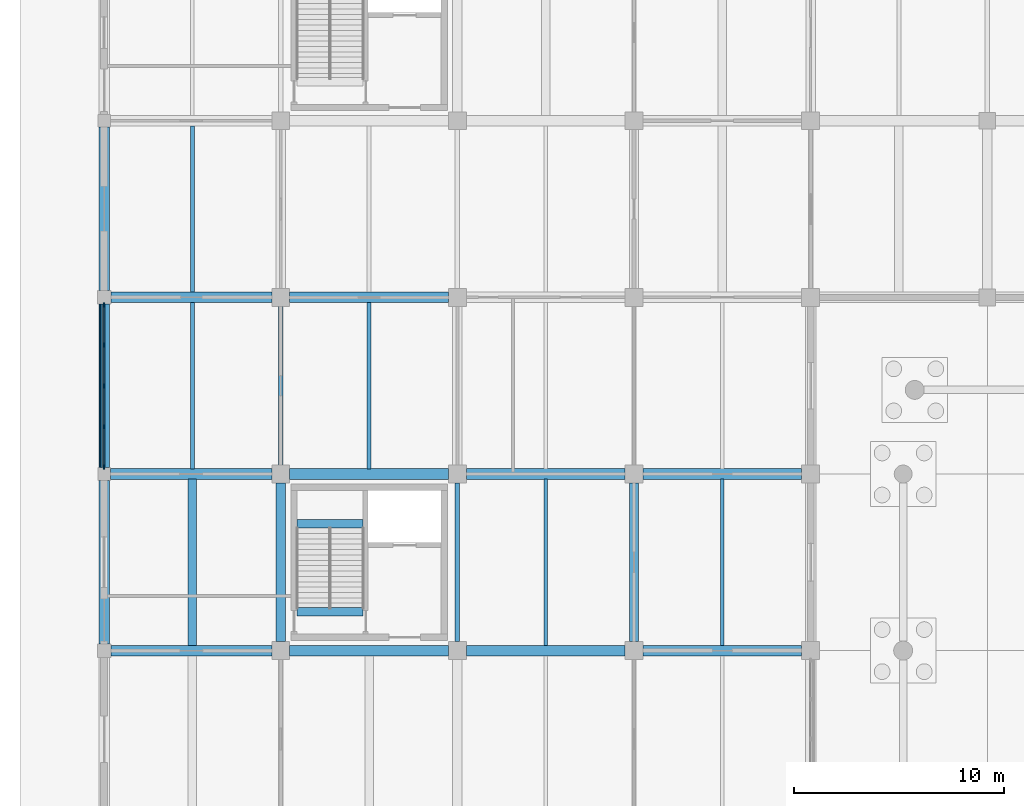
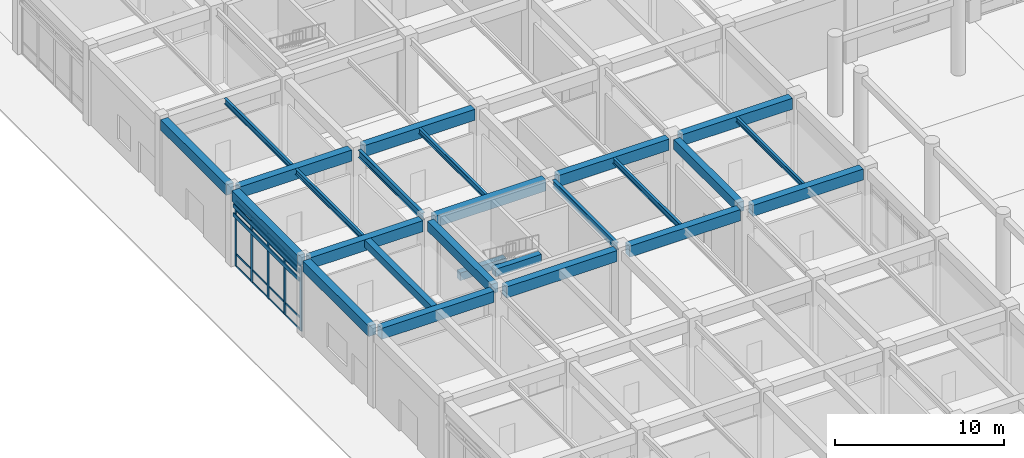
# One storey, part 7 of 91: 25 beams, 23 members, 1 element without a shape of its own.
"""IFC4 building model written with IfcOpenShell, lengths in metres."""

from ifc_helpers import new_model, si_unit, direction, frame, origin, origin_2d, place, context, subcontext, project, spatial, rectangle, i_section, extrude, material, layer, layer_set, material_profile, profile_set, type_object, element, aggregate, save


model = new_model("IFC4")

# Units and contexts
model_context = context("Model", 3, precision=1e-05, world=origin(), true_north=direction((0.0, 1.0)))
body_context = subcontext(model_context, "Body", "Model", "MODEL_VIEW")
ifc_project = project(units=[si_unit("LENGTHUNIT", "METRE"), si_unit("AREAUNIT", "SQUARE_METRE"), si_unit("VOLUMEUNIT", "CUBIC_METRE"), si_unit("PLANEANGLEUNIT", "RADIAN"), si_unit("MASSUNIT", "GRAM", prefix="KILO")], contexts=[model_context])

# Site, building, storey
site_placement = place(None, origin())
site = spatial("IfcSite", under=ifc_project, at=site_placement, CompositionType="ELEMENT")
building_placement = place(site_placement, origin())
building = spatial("IfcBuilding", under=site, at=building_placement, Name="Porcellanite Civic Hall", CompositionType="ELEMENT")
storey_placement = place(building_placement, origin())
storey = spatial("IfcBuildingStorey", under=building, at=storey_placement, Name="L00", CompositionType="ELEMENT", Elevation=0.0)

# Beams
ifc_material_1 = material(Name="Concrete N50 (50 MPa)", Category="concrete")
ifc_material_profile_1 = material_profile(ifc_material_1, rectangle(XDim=0.39990234375, YDim=0.550048828125, at=origin_2d()), Name="RC-400x550")
ifc_profile_set_1 = profile_set([ifc_material_profile_1], Name="Concrete N50 (50 MPa)")
beam_type_1 = type_object("IfcBeamType", Name="BM-RC550", PredefinedType="JOIST", material=ifc_profile_set_1)
beam_1_placement = place(storey_placement, frame((4.199951171875, 33.849609375, 5.22509765625), z_axis=(0.0, 1.0, 0.0), x_axis=(-1.0, 0.0, 0.0)))
element("IfcBeam", 1, at=beam_1_placement, inside=storey, type_object=beam_type_1, Name="Secondary joist L00 1-5", PredefinedType="JOIST", context=body_context, shape_type="SweptSolid", body=[
    extrude(rectangle(XDim=0.39990234375, YDim=0.550048828125, at=origin_2d()), origin(), (0.0, 0.0, 1.0), 7.90087890625),
])
for number, where, z_axis, x_axis, name in (
    (2, (9.180419921875, 39.625, 2.425048828125), (1.0, 0.0, 0.0), (0.0, 1.0, 0.0), "Stair landing beam C1 L00"),
    (3, (9.180419921875, 35.449951171875, 5.22509765625), (1.0, 0.0, 0.0), (0.0, 1.0, 0.0), "Stair header beam C1 L00"),
):
    element("IfcBeam", number, at=place(storey_placement, frame(where, z_axis=z_axis, x_axis=x_axis)), inside=storey, type_object=beam_type_1, Name=name, PredefinedType="JOIST", context=body_context, shape_type="SweptSolid", body=[
        extrude(rectangle(XDim=0.39990234375, YDim=0.550048828125, at=origin_2d()), origin(), (0.0, 0.0, 1.0), 3.13916015625),
    ])
ifc_material_2 = material(Name="Concrete N50 (50 MPa)", Category="concrete")
ifc_material_profile_2 = material_profile(ifc_material_2, rectangle(XDim=0.449951171875, YDim=0.699951171875, at=origin_2d()), Name="RC-450x700")
ifc_profile_set_2 = profile_set([ifc_material_profile_2], Name="Concrete N50 (50 MPa)")
beam_type_2 = type_object("IfcBeamType", Name="BM-RC700", PredefinedType="BEAM", material=ifc_profile_set_2)
for number, where, z_axis, x_axis, name in (
    (4, (8.39990234375, 34.0244140625, 5.14990234375), (0.0, 1.0, 0.0), (-1.0, 0.0, 0.0), "Beam Y L00 2-5"),
    (5, (25.199951171875, 34.0244140625, 5.14990234375), (0.0, 1.0, 0.0), (-1.0, 0.0, 0.0), "Beam Y L00 4-5"),
):
    element("IfcBeam", number, at=place(storey_placement, frame(where, z_axis=z_axis, x_axis=x_axis)), inside=storey, type_object=beam_type_2, Name=name, PredefinedType="BEAM", context=body_context, shape_type="SweptSolid", body=[
        extrude(rectangle(XDim=0.449951171875, YDim=0.699951171875, at=origin_2d()), origin(), (0.0, 0.0, 1.0), 7.551025390625),
    ])
ifc_material_3 = material(Name="Concrete N50 (50 MPa)", Category="concrete")
ifc_material_profile_3 = material_profile(ifc_material_3, rectangle(XDim=0.5, YDim=0.75, at=origin_2d()), Name="RC-500x750")
ifc_profile_set_3 = profile_set([ifc_material_profile_3], Name="Concrete N50 (50 MPa)")
beam_type_3 = type_object("IfcBeamType", Name="BM-RC750", PredefinedType="SPANDREL", material=ifc_profile_set_3)
for number, where, z_axis, x_axis, name in (
    (6, (0.0, 33.924560546875, 5.125), (0.0, 1.0, 0.0), (-1.0, 0.0, 0.0), "Beam Y L00 1-5"),
    (7, (0.0, 42.299560546875, 5.125), (0.0, 1.0, 0.0), (-1.0, 0.0, 0.0), "Beam Y L00 1-6"),
    (8, (0.0, 50.724609375, 5.125), (0.0, 1.0, 0.0), (-1.0, 0.0, 0.0), "Beam Y L00 1-7"),
):
    element("IfcBeam", number, at=place(storey_placement, frame(where, z_axis=z_axis, x_axis=x_axis)), inside=storey, type_object=beam_type_3, Name=name, PredefinedType="SPANDREL", context=body_context, shape_type="SweptSolid", body=[
        extrude(rectangle(XDim=0.5, YDim=0.75, at=origin_2d()), origin(), (0.0, 0.0, 1.0), 7.77587890625),
    ])
ifc_material_4 = material(Name="Concrete N50 (50 MPa)", Category="concrete")
ifc_material_profile_4 = material_profile(ifc_material_4, rectangle(XDim=0.5, YDim=0.800048828125, at=origin_2d()), Name="RC-500x800")
ifc_profile_set_4 = profile_set([ifc_material_profile_4], Name="Concrete N50 (50 MPa)")
beam_type_4 = type_object("IfcBeamType", Name="BM-RC800", PredefinedType="BEAM", material=ifc_profile_set_4)
beam_2_placement = place(storey_placement, frame((0.324462890625, 33.60009765625, 5.10009765625), z_axis=(1.0, 0.0, 0.0), x_axis=(0.0, 1.0, 0.0)))
element("IfcBeam", 9, at=beam_2_placement, inside=storey, type_object=beam_type_4, Name="Beam X L00 1-5", PredefinedType="BEAM", context=body_context, shape_type="SweptSolid", body=[
    extrude(rectangle(XDim=0.5, YDim=0.800048828125, at=origin_2d()), origin(), (0.0, 0.0, 1.0), 7.651123046875),
])
beam_3_placement = place(storey_placement, frame((0.299560546875, 42.0, 5.10009765625), z_axis=(1.0, 0.0, 0.0), x_axis=(0.0, 1.0, 0.0)))
element("IfcBeam", 10, at=beam_3_placement, inside=storey, type_object=beam_type_4, Name="Beam X L00 1-6", PredefinedType="BEAM", context=body_context, shape_type="SweptSolid", body=[
    extrude(rectangle(XDim=0.5, YDim=0.800048828125, at=origin_2d()), origin(), (0.0, 0.0, 1.0), 7.676025390625),
])
beam_4_placement = place(storey_placement, frame((0.324462890625, 50.39990234375, 5.10009765625), z_axis=(1.0, 0.0, 0.0), x_axis=(0.0, 1.0, 0.0)))
element("IfcBeam", 11, at=beam_4_placement, inside=storey, type_object=beam_type_4, Name="Beam X L00 1-7", PredefinedType="BEAM", context=body_context, shape_type="SweptSolid", body=[
    extrude(rectangle(XDim=0.5, YDim=0.800048828125, at=origin_2d()), origin(), (0.0, 0.0, 1.0), 7.651123046875),
])
for number, where, z_axis, x_axis, name in (
    (12, (8.824462890625, 33.60009765625, 5.10009765625), (1.0, 0.0, 0.0), (0.0, 1.0, 0.0), "Beam X L00 2-5"),
    (13, (8.824462890625, 42.0, 5.10009765625), (1.0, 0.0, 0.0), (0.0, 1.0, 0.0), "Beam X L00 2-6"),
    (14, (8.824462890625, 50.39990234375, 5.10009765625), (1.0, 0.0, 0.0), (0.0, 1.0, 0.0), "Beam X L00 2-7"),
):
    element("IfcBeam", number, at=place(storey_placement, frame(where, z_axis=z_axis, x_axis=x_axis)), inside=storey, type_object=beam_type_4, Name=name, PredefinedType="BEAM", context=body_context, shape_type="SweptSolid", body=[
        extrude(rectangle(XDim=0.5, YDim=0.800048828125, at=origin_2d()), origin(), (0.0, 0.0, 1.0), 7.551025390625),
    ])
for number, where, z_axis, x_axis, name in (
    (15, (17.224609375, 33.60009765625, 5.10009765625), (1.0, 0.0, 0.0), (0.0, 1.0, 0.0), "Beam X L00 3-5"),
    (16, (17.224609375, 42.0, 5.10009765625), (1.0, 0.0, 0.0), (0.0, 1.0, 0.0), "Beam X L00 3-6"),
):
    element("IfcBeam", number, at=place(storey_placement, frame(where, z_axis=z_axis, x_axis=x_axis)), inside=storey, type_object=beam_type_4, Name=name, PredefinedType="BEAM", context=body_context, shape_type="SweptSolid", body=[
        extrude(rectangle(XDim=0.5, YDim=0.800048828125, at=origin_2d()), origin(), (0.0, 0.0, 1.0), 7.55078125),
    ])
for number, where, z_axis, x_axis, name in (
    (17, (25.62451171875, 33.60009765625, 5.10009765625), (1.0, 0.0, 0.0), (0.0, 1.0, 0.0), "Beam X L00 4-5"),
    (18, (25.62451171875, 42.0, 5.10009765625), (1.0, 0.0, 0.0), (0.0, 1.0, 0.0), "Beam X L00 4-6"),
):
    element("IfcBeam", number, at=place(storey_placement, frame(where, z_axis=z_axis, x_axis=x_axis)), inside=storey, type_object=beam_type_4, Name=name, PredefinedType="BEAM", context=body_context, shape_type="SweptSolid", body=[
        extrude(rectangle(XDim=0.5, YDim=0.800048828125, at=origin_2d()), origin(), (0.0, 0.0, 1.0), 7.551025390625),
    ])

# Curtain wall, members
ifc_material_5 = material(Name="Anodised aluminium and solar laminated glass", Category="aluminium")
ifc_layer = layer(ifc_material_5, 0.179931640625)
ifc_layer_set = layer_set([ifc_layer], Name="Anodised aluminium and solar laminated glass")
curtain_wall_type = type_object("IfcCurtainWallType", Name="CW-SYS05", PredefinedType="NOTDEFINED", material=ifc_layer_set)
curtain_wall_placement = place(storey_placement, origin())
curtain_wall = element("IfcCurtainWall", 19, at=curtain_wall_placement, inside=storey, type_object=curtain_wall_type, Name="Curtain wall CW-003", PredefinedType="NOTDEFINED")
ifc_material_6 = material(Name="Anodised aluminium 6063-T6", Category="aluminium")
ifc_material_profile_5 = material_profile(ifc_material_6, rectangle(XDim=0.070068359375, YDim=0.199951171875, at=origin_2d()), Name="AL-70x200")
ifc_profile_set_5 = profile_set([ifc_material_profile_5], Name="Anodised aluminium 6063-T6")
member_type_1 = type_object("IfcMemberType", Name="CWM-05", PredefinedType="MULLION", material=ifc_profile_set_5)
member_1_placement = place(storey_placement, frame((0.0, 42.3359375, 0.0), z_axis=(0.0, 0.0, 1.0), x_axis=(-1.0, 0.0, 0.0)))
member_1 = element("IfcMember", 20, at=member_1_placement, type_object=member_type_1, Name="CW-003 mullion 1", PredefinedType="MULLION", context=body_context, shape_type="SweptSolid", body=[
    extrude(rectangle(XDim=0.070068359375, YDim=0.199951171875, at=origin_2d()), origin(), (0.0, 0.0, 1.0), 4.699951171875),
])
member_2_placement = place(storey_placement, frame((0.0, 44.244140625, 0.0), z_axis=(0.0, 0.0, 1.0), x_axis=(-1.0, 0.0, 0.0)))
member_2 = element("IfcMember", 21, at=member_2_placement, type_object=member_type_1, Name="CW-003 mullion 2", PredefinedType="MULLION", context=body_context, shape_type="SweptSolid", body=[
    extrude(rectangle(XDim=0.070068359375, YDim=0.199951171875, at=origin_2d()), origin(), (0.0, 0.0, 1.0), 4.699951171875),
])
member_3_placement = place(storey_placement, frame((0.0, 46.1875, 0.0), z_axis=(0.0, 0.0, 1.0), x_axis=(-1.0, 0.0, 0.0)))
member_3 = element("IfcMember", 22, at=member_3_placement, type_object=member_type_1, Name="CW-003 mullion 3", PredefinedType="MULLION", context=body_context, shape_type="SweptSolid", body=[
    extrude(rectangle(XDim=0.070068359375, YDim=0.199951171875, at=origin_2d()), origin(), (0.0, 0.0, 1.0), 4.699951171875),
])
member_4_placement = place(storey_placement, frame((0.0, 48.130859375, 0.0), z_axis=(0.0, 0.0, 1.0), x_axis=(-1.0, 0.0, 0.0)))
member_4 = element("IfcMember", 23, at=member_4_placement, type_object=member_type_1, Name="CW-003 mullion 4", PredefinedType="MULLION", context=body_context, shape_type="SweptSolid", body=[
    extrude(rectangle(XDim=0.070068359375, YDim=0.199951171875, at=origin_2d()), origin(), (0.0, 0.0, 1.0), 4.699951171875),
])
member_5_placement = place(storey_placement, frame((0.0, 50.0390625, 0.0), z_axis=(0.0, 0.0, 1.0), x_axis=(-1.0, 0.0, 0.0)))
member_5 = element("IfcMember", 24, at=member_5_placement, type_object=member_type_1, Name="CW-003 mullion 5", PredefinedType="MULLION", context=body_context, shape_type="SweptSolid", body=[
    extrude(rectangle(XDim=0.070068359375, YDim=0.199951171875, at=origin_2d()), origin(), (0.0, 0.0, 1.0), 4.699951171875),
])
ifc_material_7 = material(Name="Anodised aluminium 6063-T6", Category="aluminium")
ifc_material_profile_6 = material_profile(ifc_material_7, rectangle(XDim=0.06005859375, YDim=0.1298828125, at=origin_2d()), Name="AL-60x130")
ifc_profile_set_6 = profile_set([ifc_material_profile_6], Name="Anodised aluminium 6063-T6")
member_type_2 = type_object("IfcMemberType", Name="CWT-03", PredefinedType="USERDEFINED", material=ifc_profile_set_6)
member_6_placement = place(storey_placement, frame((0.0, 42.37109375, 0.030029296875), z_axis=(0.0, 1.0, 0.0), x_axis=(-1.0, 0.0, 0.0)))
member_6 = element("IfcMember", 25, at=member_6_placement, type_object=member_type_2, Name="CW-003 transom 1.1", ObjectType="TRANSOM", PredefinedType="USERDEFINED", context=body_context, shape_type="SweptSolid", body=[
    extrude(rectangle(XDim=0.06005859375, YDim=0.1298828125, at=origin_2d()), origin(), (0.0, 0.0, 1.0), 1.838134765625),
])
member_7_placement = place(storey_placement, frame((0.0, 42.37109375, 0.89990234375), z_axis=(0.0, 1.0, 0.0), x_axis=(-1.0, 0.0, 0.0)))
member_7 = element("IfcMember", 26, at=member_7_placement, type_object=member_type_2, Name="CW-003 transom 1.2", ObjectType="TRANSOM", PredefinedType="USERDEFINED", context=body_context, shape_type="SweptSolid", body=[
    extrude(rectangle(XDim=0.06005859375, YDim=0.1298828125, at=origin_2d()), origin(), (0.0, 0.0, 1.0), 1.838134765625),
])
member_8_placement = place(storey_placement, frame((0.0, 42.37109375, 4.050048828125), z_axis=(0.0, 1.0, 0.0), x_axis=(-1.0, 0.0, 0.0)))
member_8 = element("IfcMember", 27, at=member_8_placement, type_object=member_type_2, Name="CW-003 transom 1.3", ObjectType="TRANSOM", PredefinedType="USERDEFINED", context=body_context, shape_type="SweptSolid", body=[
    extrude(rectangle(XDim=0.06005859375, YDim=0.1298828125, at=origin_2d()), origin(), (0.0, 0.0, 1.0), 1.838134765625),
])
member_9_placement = place(storey_placement, frame((0.0, 42.37109375, 4.669921875), z_axis=(0.0, 1.0, 0.0), x_axis=(-1.0, 0.0, 0.0)))
member_9 = element("IfcMember", 28, at=member_9_placement, type_object=member_type_2, Name="CW-003 transom 1.4", ObjectType="TRANSOM", PredefinedType="USERDEFINED", context=body_context, shape_type="SweptSolid", body=[
    extrude(rectangle(XDim=0.06005859375, YDim=0.1298828125, at=origin_2d()), origin(), (0.0, 0.0, 1.0), 1.838134765625),
])
member_10_placement = place(storey_placement, frame((0.0, 44.279296875, 0.030029296875), z_axis=(0.0, 1.0, 0.0), x_axis=(-1.0, 0.0, 0.0)))
member_10 = element("IfcMember", 29, at=member_10_placement, type_object=member_type_2, Name="CW-003 transom 2.1", ObjectType="TRANSOM", PredefinedType="USERDEFINED", context=body_context, shape_type="SweptSolid", body=[
    extrude(rectangle(XDim=0.06005859375, YDim=0.1298828125, at=origin_2d()), origin(), (0.0, 0.0, 1.0), 1.873291015625),
])
member_11_placement = place(storey_placement, frame((0.0, 44.279296875, 0.89990234375), z_axis=(0.0, 1.0, 0.0), x_axis=(-1.0, 0.0, 0.0)))
member_11 = element("IfcMember", 30, at=member_11_placement, type_object=member_type_2, Name="CW-003 transom 2.2", ObjectType="TRANSOM", PredefinedType="USERDEFINED", context=body_context, shape_type="SweptSolid", body=[
    extrude(rectangle(XDim=0.06005859375, YDim=0.1298828125, at=origin_2d()), origin(), (0.0, 0.0, 1.0), 1.873291015625),
])
member_12_placement = place(storey_placement, frame((0.0, 44.279296875, 4.050048828125), z_axis=(0.0, 1.0, 0.0), x_axis=(-1.0, 0.0, 0.0)))
member_12 = element("IfcMember", 31, at=member_12_placement, type_object=member_type_2, Name="CW-003 transom 2.3", ObjectType="TRANSOM", PredefinedType="USERDEFINED", context=body_context, shape_type="SweptSolid", body=[
    extrude(rectangle(XDim=0.06005859375, YDim=0.1298828125, at=origin_2d()), origin(), (0.0, 0.0, 1.0), 1.873291015625),
])
member_13_placement = place(storey_placement, frame((0.0, 44.279296875, 4.669921875), z_axis=(0.0, 1.0, 0.0), x_axis=(-1.0, 0.0, 0.0)))
member_13 = element("IfcMember", 32, at=member_13_placement, type_object=member_type_2, Name="CW-003 transom 2.4", ObjectType="TRANSOM", PredefinedType="USERDEFINED", context=body_context, shape_type="SweptSolid", body=[
    extrude(rectangle(XDim=0.06005859375, YDim=0.1298828125, at=origin_2d()), origin(), (0.0, 0.0, 1.0), 1.873291015625),
])
member_14_placement = place(storey_placement, frame((0.0, 46.222412109375, 0.030029296875), z_axis=(0.0, 1.0, 0.0), x_axis=(-1.0, 0.0, 0.0)))
member_14 = element("IfcMember", 33, at=member_14_placement, type_object=member_type_2, Name="CW-003 transom 3.1", ObjectType="TRANSOM", PredefinedType="USERDEFINED", context=body_context, shape_type="SweptSolid", body=[
    extrude(rectangle(XDim=0.06005859375, YDim=0.1298828125, at=origin_2d()), origin(), (0.0, 0.0, 1.0), 1.873291015625),
])
member_15_placement = place(storey_placement, frame((0.0, 46.222412109375, 0.89990234375), z_axis=(0.0, 1.0, 0.0), x_axis=(-1.0, 0.0, 0.0)))
member_15 = element("IfcMember", 34, at=member_15_placement, type_object=member_type_2, Name="CW-003 transom 3.2", ObjectType="TRANSOM", PredefinedType="USERDEFINED", context=body_context, shape_type="SweptSolid", body=[
    extrude(rectangle(XDim=0.06005859375, YDim=0.1298828125, at=origin_2d()), origin(), (0.0, 0.0, 1.0), 1.873291015625),
])
member_16_placement = place(storey_placement, frame((0.0, 46.222412109375, 4.050048828125), z_axis=(0.0, 1.0, 0.0), x_axis=(-1.0, 0.0, 0.0)))
member_16 = element("IfcMember", 35, at=member_16_placement, type_object=member_type_2, Name="CW-003 transom 3.3", ObjectType="TRANSOM", PredefinedType="USERDEFINED", context=body_context, shape_type="SweptSolid", body=[
    extrude(rectangle(XDim=0.06005859375, YDim=0.1298828125, at=origin_2d()), origin(), (0.0, 0.0, 1.0), 1.873291015625),
])
member_17_placement = place(storey_placement, frame((0.0, 46.222412109375, 4.669921875), z_axis=(0.0, 1.0, 0.0), x_axis=(-1.0, 0.0, 0.0)))
member_17 = element("IfcMember", 36, at=member_17_placement, type_object=member_type_2, Name="CW-003 transom 3.4", ObjectType="TRANSOM", PredefinedType="USERDEFINED", context=body_context, shape_type="SweptSolid", body=[
    extrude(rectangle(XDim=0.06005859375, YDim=0.1298828125, at=origin_2d()), origin(), (0.0, 0.0, 1.0), 1.873291015625),
])
member_18_placement = place(storey_placement, frame((0.0, 48.165771484375, 0.030029296875), z_axis=(0.0, 1.0, 0.0), x_axis=(-1.0, 0.0, 0.0)))
member_18 = element("IfcMember", 37, at=member_18_placement, type_object=member_type_2, Name="CW-003 transom 4.1", ObjectType="TRANSOM", PredefinedType="USERDEFINED", context=body_context, shape_type="SweptSolid", body=[
    extrude(rectangle(XDim=0.06005859375, YDim=0.1298828125, at=origin_2d()), origin(), (0.0, 0.0, 1.0), 1.838134765625),
])
member_19_placement = place(storey_placement, frame((0.0, 48.165771484375, 0.89990234375), z_axis=(0.0, 1.0, 0.0), x_axis=(-1.0, 0.0, 0.0)))
member_19 = element("IfcMember", 38, at=member_19_placement, type_object=member_type_2, Name="CW-003 transom 4.2", ObjectType="TRANSOM", PredefinedType="USERDEFINED", context=body_context, shape_type="SweptSolid", body=[
    extrude(rectangle(XDim=0.06005859375, YDim=0.1298828125, at=origin_2d()), origin(), (0.0, 0.0, 1.0), 1.838134765625),
])
member_20_placement = place(storey_placement, frame((0.0, 48.165771484375, 4.050048828125), z_axis=(0.0, 1.0, 0.0), x_axis=(-1.0, 0.0, 0.0)))
member_20 = element("IfcMember", 39, at=member_20_placement, type_object=member_type_2, Name="CW-003 transom 4.3", ObjectType="TRANSOM", PredefinedType="USERDEFINED", context=body_context, shape_type="SweptSolid", body=[
    extrude(rectangle(XDim=0.06005859375, YDim=0.1298828125, at=origin_2d()), origin(), (0.0, 0.0, 1.0), 1.838134765625),
])
member_21_placement = place(storey_placement, frame((0.0, 48.165771484375, 4.669921875), z_axis=(0.0, 1.0, 0.0), x_axis=(-1.0, 0.0, 0.0)))
member_21 = element("IfcMember", 40, at=member_21_placement, type_object=member_type_2, Name="CW-003 transom 4.4", ObjectType="TRANSOM", PredefinedType="USERDEFINED", context=body_context, shape_type="SweptSolid", body=[
    extrude(rectangle(XDim=0.06005859375, YDim=0.1298828125, at=origin_2d()), origin(), (0.0, 0.0, 1.0), 1.838134765625),
])
aggregate(curtain_wall, [member_1, member_2, member_3, member_4, member_5, member_6, member_7, member_8, member_9, member_10, member_11, member_12, member_13, member_14, member_15, member_16, member_17, member_18, member_19, member_20, member_21])

# Beams
ifc_material_8 = material(Name="Steel Grade 350", Category="steel")
ifc_material_profile_7 = material_profile(ifc_material_8, i_section(OverallWidth=0.172119140625, OverallDepth=0.35888671875, WebThickness=0.008056640625, FlangeThickness=0.012939453125, FilletRadius=0.011474609375, at=origin_2d()), Name="360UB56.7")
ifc_profile_set_7 = profile_set([ifc_material_profile_7], Name="Steel Grade 350")
beam_type_5 = type_object("IfcBeamType", Name="JST-360UB57", PredefinedType="JOIST", material=ifc_profile_set_7)
beam_5_placement = place(storey_placement, frame((29.39990234375, 33.849609375, 5.320556640625), z_axis=(0.0, 1.0, 0.0), x_axis=(-1.0, 0.0, 0.0)))
element("IfcBeam", 41, at=beam_5_placement, inside=storey, type_object=beam_type_5, Name="Secondary joist L00 4-5", PredefinedType="JOIST", context=body_context, shape_type="SweptSolid", body=[
    extrude(i_section(OverallWidth=0.172119140625, OverallDepth=0.35888671875, WebThickness=0.008056640625, FlangeThickness=0.012939453125, FilletRadius=0.011474609375, at=origin_2d()), origin(), (0.0, 0.0, 1.0), 7.90087890625),
])
ifc_material_9 = material(Name="Steel Grade 350", Category="steel")
ifc_material_profile_8 = material_profile(ifc_material_9, i_section(OverallWidth=0.177978515625, OverallDepth=0.403076171875, WebThickness=0.007568359375, FlangeThickness=0.010986328125, FilletRadius=0.011474609375, at=origin_2d()), Name="410UB53.7")
ifc_profile_set_8 = profile_set([ifc_material_profile_8], Name="Steel Grade 350")
beam_type_6 = type_object("IfcBeamType", Name="JST-410UB54", PredefinedType="JOIST", material=ifc_profile_set_8)
beam_6_placement = place(storey_placement, frame((4.199951171875, 50.6494140625, 5.298583984375), z_axis=(0.0, 1.0, 0.0), x_axis=(-1.0, 0.0, 0.0)))
element("IfcBeam", 42, at=beam_6_placement, inside=storey, type_object=beam_type_6, Name="Secondary joist L00 1-7", PredefinedType="JOIST", context=body_context, shape_type="SweptSolid", body=[
    extrude(i_section(OverallWidth=0.177978515625, OverallDepth=0.403076171875, WebThickness=0.007568359375, FlangeThickness=0.010986328125, FilletRadius=0.011474609375, at=origin_2d()), origin(), (0.0, 0.0, 1.0), 7.901123046875),
])
for number, where, z_axis, x_axis, name in (
    (43, (12.60009765625, 42.24951171875, 5.298583984375), (0.0, 1.0, 0.0), (-1.0, 0.0, 0.0), "Secondary joist L00 2-6"),
    (44, (21.0, 33.849609375, 5.298583984375), (0.0, 1.0, 0.0), (-1.0, 0.0, 0.0), "Secondary joist L00 3-5"),
):
    element("IfcBeam", number, at=place(storey_placement, frame(where, z_axis=z_axis, x_axis=x_axis)), inside=storey, type_object=beam_type_6, Name=name, PredefinedType="JOIST", context=body_context, shape_type="SweptSolid", body=[
        extrude(i_section(OverallWidth=0.177978515625, OverallDepth=0.403076171875, WebThickness=0.007568359375, FlangeThickness=0.010986328125, FilletRadius=0.011474609375, at=origin_2d()), origin(), (0.0, 0.0, 1.0), 7.90087890625),
    ])
ifc_material_10 = material(Name="Steel Grade 350", Category="steel")
ifc_material_profile_9 = material_profile(ifc_material_10, i_section(OverallWidth=0.177978515625, OverallDepth=0.406005859375, WebThickness=0.0078125, FlangeThickness=0.0126953125, FilletRadius=0.011474609375, at=origin_2d()), Name="410UB59.7")
ifc_profile_set_9 = profile_set([ifc_material_profile_9], Name="Steel Grade 350")
beam_type_7 = type_object("IfcBeamType", Name="JST-410UB60", PredefinedType="JOIST", material=ifc_profile_set_9)
beam_7_placement = place(storey_placement, frame((4.199951171875, 42.24951171875, 5.297119140625), z_axis=(0.0, 1.0, 0.0), x_axis=(-1.0, 0.0, 0.0)))
element("IfcBeam", 45, at=beam_7_placement, inside=storey, type_object=beam_type_7, Name="Secondary joist L00 1-6", PredefinedType="JOIST", context=body_context, shape_type="SweptSolid", body=[
    extrude(i_section(OverallWidth=0.177978515625, OverallDepth=0.406005859375, WebThickness=0.0078125, FlangeThickness=0.0126953125, FilletRadius=0.011474609375, at=origin_2d()), origin(), (0.0, 0.0, 1.0), 7.90087890625),
])

# Members
ifc_material_11 = material(Name="Fluoropolymer bauxite-red aluminium 6063-T6", Category="aluminium")
ifc_material_profile_10 = material_profile(ifc_material_11, rectangle(XDim=0.070068359375, YDim=0.280029296875, at=origin_2d()), Name="AL-70x280")
ifc_profile_set_10 = profile_set([ifc_material_profile_10], Name="Fluoropolymer bauxite-red aluminium 6063-T6")
member_type_3 = type_object("IfcMemberType", Name="LV-BLD05", PredefinedType="USERDEFINED", material=ifc_profile_set_10)
for number, where, z_axis, x_axis, name in (
    (46, (-0.136962890625, 42.299560546875, 4.39990234375), (0.0, 1.0, 0.0), (-1.0, 0.0, 0.0), "Cyclone sunshade louvre L00 W 0-5 1"),
    (47, (-0.136962890625, 42.299560546875, 3.75), (0.0, 1.0, 0.0), (-1.0, 0.0, 0.0), "Cyclone sunshade louvre L00 W 0-5 2"),
):
    element("IfcMember", number, at=place(storey_placement, frame(where, z_axis=z_axis, x_axis=x_axis)), inside=storey, type_object=member_type_3, Name=name, ObjectType="LOUVRE BLADE", PredefinedType="USERDEFINED", context=body_context, shape_type="SweptSolid", body=[
        extrude(rectangle(XDim=0.070068359375, YDim=0.280029296875, at=origin_2d()), origin(), (0.0, 0.0, 1.0), 7.77587890625),
    ])

# Beams
ifc_material_12 = material(Name="Steel Grade 350", Category="steel")
ifc_material_profile_11 = material_profile(ifc_material_12, i_section(OverallWidth=0.208984375, OverallDepth=0.528076171875, WebThickness=0.009521484375, FlangeThickness=0.01318359375, FilletRadius=0.013916015625, at=origin_2d()), Name="530UB82.0")
ifc_profile_set_11 = profile_set([ifc_material_profile_11], Name="Steel Grade 350")
beam_type_8 = type_object("IfcBeamType", Name="RAF-530UB82", PredefinedType="BEAM", material=ifc_profile_set_11)
for number, where, z_axis, x_axis, name in (
    (48, (8.39990234375, 42.424560546875, 5.236083984375), (0.0, 1.0, 0.0), (-1.0, 0.0, 0.0), "Beam Y L00 2-6"),
    (49, (16.800048828125, 34.0244140625, 5.236083984375), (0.0, 1.0, 0.0), (-1.0, 0.0, 0.0), "Beam Y L00 3-5"),
):
    element("IfcBeam", number, at=place(storey_placement, frame(where, z_axis=z_axis, x_axis=x_axis)), inside=storey, type_object=beam_type_8, Name=name, PredefinedType="BEAM", context=body_context, shape_type="SweptSolid", body=[
        extrude(i_section(OverallWidth=0.208984375, OverallDepth=0.528076171875, WebThickness=0.009521484375, FlangeThickness=0.01318359375, FilletRadius=0.013916015625, at=origin_2d()), origin(), (0.0, 0.0, 1.0), 7.551025390625),
    ])

save(model, "model.ifc")
